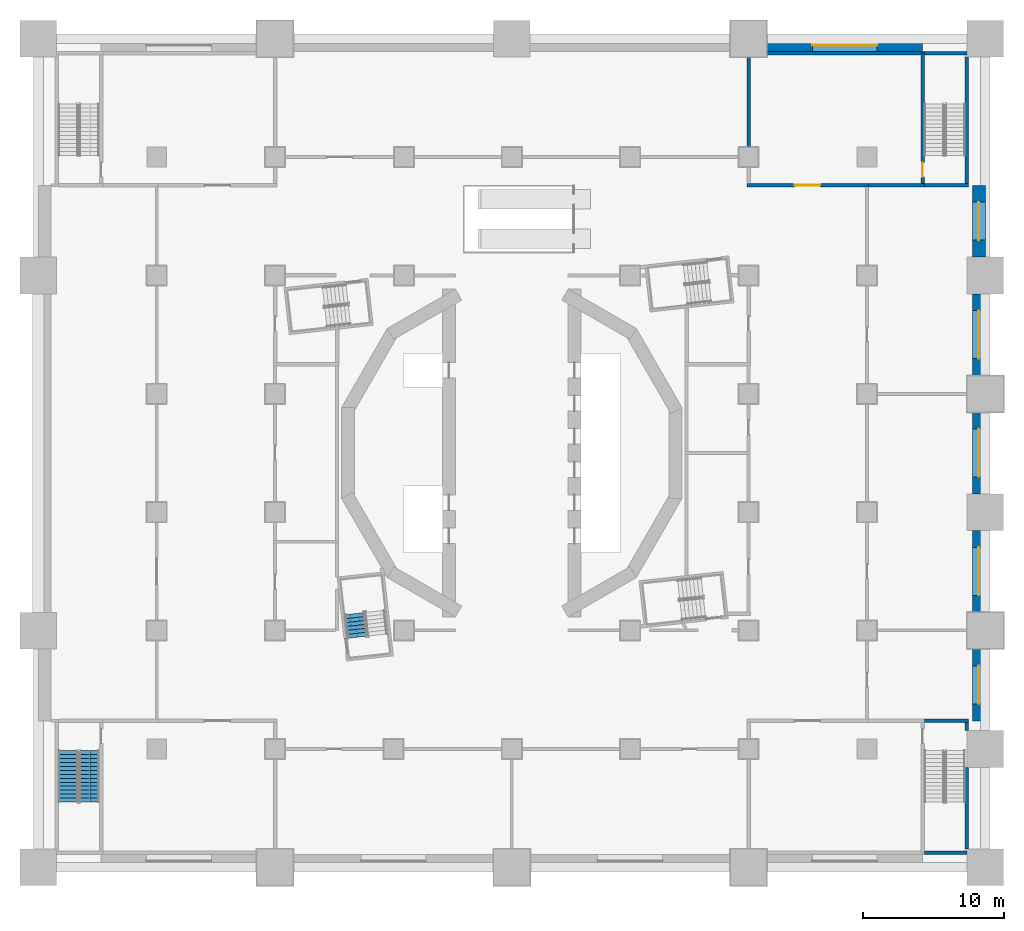
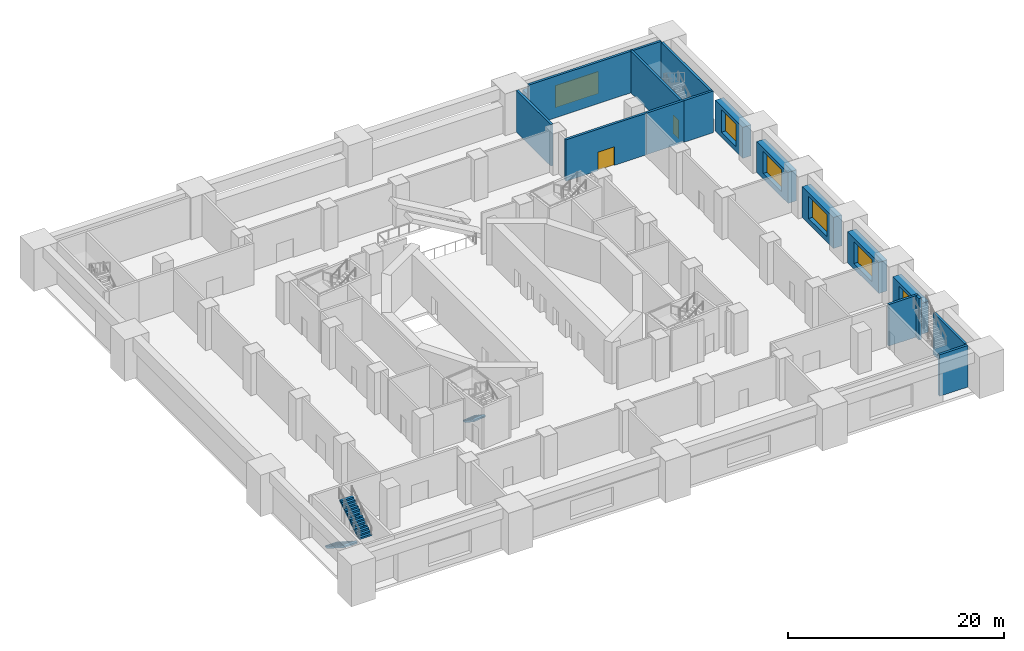
# One storey, part 5 of 18: 18 walls, 6 windows, 3 stair flights, 2 doors, 8 openings, 2 elements without a shape of their own.
"""IFC4 building model written with IfcOpenShell, lengths in metres."""

from ifc_helpers import new_model, si_unit, direction, frame, frame_2d, origin, place, context, subcontext, project, spatial, polyline, rectangle, outline, extrude, material, layer, layer_set, type_object, element, fill, aggregate, save


model = new_model("IFC4")

# Units and contexts
model_context = context("Model", 3, precision=1e-05, world=origin(), true_north=direction((0.0, 1.0)))
body_context = subcontext(model_context, "Body", "Model", "MODEL_VIEW")
ifc_project = project(units=[si_unit("LENGTHUNIT", "METRE"), si_unit("AREAUNIT", "SQUARE_METRE"), si_unit("VOLUMEUNIT", "CUBIC_METRE"), si_unit("PLANEANGLEUNIT", "RADIAN"), si_unit("MASSUNIT", "GRAM", prefix="KILO")], contexts=[model_context])

# Site, building, storey
site_placement = place(None, origin())
site = spatial("IfcSite", under=ifc_project, at=site_placement, CompositionType="ELEMENT")
building_placement = place(site_placement, origin())
building = spatial("IfcBuilding", under=site, at=building_placement, Name="Cantera Rosa Tower", CompositionType="ELEMENT")
storey_placement = place(building_placement, frame((0.0, 0.0, 17.0)))
storey = spatial("IfcBuildingStorey", under=building, at=storey_placement, Name="L02", CompositionType="ELEMENT", Elevation=17.0)

# Walls
ifc_material_1 = material(Name="Concrete C50/60", Category="concrete")
ifc_layer_1 = layer(ifc_material_1, 0.25)
ifc_layer_set_1 = layer_set([ifc_layer_1], Name="External stair wall 250")
wall_type_1 = type_object("IfcWallType", Name="External stair wall 250", PredefinedType="SOLIDWALL", material=ifc_layer_set_1)
for number, where, z_axis, x_axis, name in (
    (1, (29.27490234375, 28.375, 0.0), (0.0, 0.0, 1.0), (1.0, 0.0, 0.0), "Stair wall L02-51"),
    (2, (32.300048828125, -28.375, 0.0), (0.0, 0.0, 1.0), (-1.0, 0.0, 0.0), "Stair wall L02-75"),
):
    element("IfcWall", number, at=place(storey_placement, frame(where, z_axis=z_axis, x_axis=x_axis)), inside=storey, type_object=wall_type_1, Name=name, PredefinedType="SOLIDWALL", context=body_context, shape_type="SweptSolid", body=[
        extrude(rectangle(XDim=3.025146484375, YDim=0.25, at=frame_2d((1.5126953125, 0.0))), origin(), (0.0, 0.0, 1.0), 4.699951171875),
    ])
ifc_material_2 = material(Name="Masonry blockwork", Category="masonry")
ifc_layer_2 = layer(ifc_material_2, 0.25)
ifc_layer_set_2 = layer_set([ifc_layer_2], Name="Fire-rated external wall 250")
wall_type_2 = type_object("IfcWallType", Name="Fire-rated external wall 250", PredefinedType="PARTITIONING", material=ifc_layer_set_2)
wall_1_placement = place(storey_placement, frame((18.10009765625, 28.375, 0.0), z_axis=(0.0, 0.0, 1.0), x_axis=(1.0, 0.0, 0.0)))
element("IfcWall", 3, at=wall_1_placement, inside=storey, type_object=wall_type_2, Name="Fire wall L02-50", PredefinedType="PARTITIONING", context=body_context, shape_type="SweptSolid", body=[
    extrude(rectangle(XDim=11.1748046875, YDim=0.25, at=frame_2d((5.58740234375, 0.0))), origin(), (0.0, 0.0, 1.0), 4.699951171875),
])
ifc_material_3 = material(Name="Masonry blockwork", Category="masonry")
ifc_layer_3 = layer(ifc_material_3, 0.25)
ifc_layer_set_3 = layer_set([ifc_layer_3], Name="Fire-rated wall 250")
wall_type_3 = type_object("IfcWallType", Name="Fire-rated wall 250", PredefinedType="PARTITIONING", material=ifc_layer_set_3)
wall_2_placement = place(storey_placement, frame((16.800048828125, 21.699951171875, 0.0), z_axis=(0.0, 0.0, 1.0), x_axis=(0.0, 1.0, 0.0)))
element("IfcWall", 4, at=wall_2_placement, inside=storey, type_object=wall_type_3, Name="Fire wall L02-31", PredefinedType="PARTITIONING", context=body_context, shape_type="SweptSolid", body=[
    extrude(rectangle(XDim=6.400146484375, YDim=0.25, at=frame_2d((3.2001953125, 0.0))), origin(), (0.0, 0.0, 1.0), 4.699951171875),
])

# Wall, opening, door
wall_3_placement = place(storey_placement, frame((16.675048828125, 19.0, 0.0), z_axis=(0.0, 0.0, 1.0), x_axis=(1.0, 0.0, 0.0)))
wall_3 = element("IfcWall", 5, at=wall_3_placement, inside=storey, type_object=wall_type_3, Name="Fire wall L02-58", PredefinedType="PARTITIONING", context=body_context, shape_type="SweptSolid", body=[
    extrude(rectangle(XDim=8.625, YDim=0.25, at=frame_2d((4.3125, 0.0))), origin(), (0.0, 0.0, 1.0), 4.699951171875),
])
opening_1_placement = place(wall_3_placement, frame((3.41259765625, 0.0, 0.0)))
opening_1 = element("IfcOpeningElement", 6, at=opening_1_placement, cuts=wall_3, Name="Opening L02-014", PredefinedType="OPENING", context=body_context, shape_type="SweptSolid", body=[
    extrude(rectangle(XDim=1.800048828125, YDim=2.10009765625, at=frame_2d((0.89990234375, 1.050048828125))), frame((0.0, 0.135009765625, 0.0), z_axis=(0.0, -1.0, 0.0), x_axis=(1.0, 0.0, 0.0)), (0.0, 0.0, 1.0), 0.27001953125),
])
ifc_material_4 = material(Name="Steel S355J2 (EN 10025-2)", Category="steel")
door_type_1 = type_object("IfcDoorType", Name="Fire double door 1800x2100", OperationType="NOTDEFINED", PredefinedType="DOOR", material=ifc_material_4)
door_1_placement = place(opening_1_placement, origin())
door_1 = element("IfcDoor", 7, at=door_1_placement, inside=storey, type_object=door_type_1, Name="Door L02-014", OperationType="DOUBLE_DOOR_SINGLE_SWING", OverallHeight=2.10009765625, OverallWidth=1.800048828125, PredefinedType="DOOR", context=body_context, shape_type="SweptSolid", body=[
    extrude(rectangle(XDim=1.800048828125, YDim=2.10009765625, at=frame_2d((0.89990234375, 1.050048828125))), frame((0.0, 0.02490234375, 0.0), z_axis=(0.0, -1.0, 0.0), x_axis=(1.0, 0.0, 0.0)), (0.0, 0.0, 1.0), 0.050048828125),
])
fill(opening_1, door_1)

# Walls
wall_4_placement = place(storey_placement, frame((25.300048828125, 19.0, 0.0), z_axis=(0.0, 0.0, 1.0), x_axis=(1.0, 0.0, 0.0)))
element("IfcWall", 8, at=wall_4_placement, inside=storey, type_object=wall_type_3, Name="Fire wall L02-59", PredefinedType="PARTITIONING", context=body_context, shape_type="SweptSolid", body=[
    extrude(rectangle(XDim=3.974853515625, YDim=0.25, at=frame_2d((1.9873046875, 0.0))), origin(), (0.0, 0.0, 1.0), 4.699951171875),
])
ifc_material_5 = material(Name="Concrete C50/60", Category="concrete")
ifc_layer_4 = layer(ifc_material_5, 0.25)
ifc_layer_set_4 = layer_set([ifc_layer_4], Name="RC stair wall 250 C50/60")
wall_type_4 = type_object("IfcWallType", Name="RC stair wall 250", PredefinedType="SOLIDWALL", material=ifc_layer_set_4)
wall_5_placement = place(storey_placement, frame((32.300048828125, -28.10009765625, 0.0), z_axis=(0.0, 0.0, 1.0), x_axis=(0.0, 1.0, 0.0)))
element("IfcWall", 9, at=wall_5_placement, inside=storey, type_object=wall_type_4, Name="Stair wall L02-45", PredefinedType="SOLIDWALL", context=body_context, shape_type="SweptSolid", body=[
    extrude(rectangle(XDim=5.800048828125, YDim=0.25, at=frame_2d((2.89990234375, 0.0))), origin(), (0.0, 0.0, 1.0), 4.699951171875),
])
wall_6_placement = place(storey_placement, frame((32.300048828125, -19.699951171875, 0.0), z_axis=(0.0, 0.0, 1.0), x_axis=(0.0, 1.0, 0.0)))
element("IfcWall", 10, at=wall_6_placement, inside=storey, type_object=wall_type_4, Name="Stair wall L02-46", PredefinedType="SOLIDWALL", context=body_context, shape_type="SweptSolid", body=[
    extrude(rectangle(XDim=0.574951171875, YDim=0.25, at=frame_2d((0.28759765625, 0.0))), origin(), (0.0, 0.0, 1.0), 4.699951171875),
])
wall_7_placement = place(storey_placement, frame((32.300048828125, 19.125, 0.0), z_axis=(0.0, 0.0, 1.0), x_axis=(0.0, 1.0, 0.0)))
element("IfcWall", 11, at=wall_7_placement, inside=storey, type_object=wall_type_4, Name="Stair wall L02-47", PredefinedType="SOLIDWALL", context=body_context, shape_type="SweptSolid", body=[
    extrude(rectangle(XDim=8.97509765625, YDim=0.25, at=frame_2d((4.487548828125, 0.0))), origin(), (0.0, 0.0, 1.0), 4.699951171875),
])

# Wall, opening, door
wall_8_placement = place(storey_placement, frame((29.14990234375, 19.125, 0.0), z_axis=(0.0, 0.0, 1.0), x_axis=(0.0, 1.0, 0.0)))
wall_8 = element("IfcWall", 12, at=wall_8_placement, inside=storey, type_object=wall_type_4, Name="Stair wall L02-53", PredefinedType="SOLIDWALL", context=body_context, shape_type="SweptSolid", body=[
    extrude(rectangle(XDim=9.25, YDim=0.25, at=frame_2d((4.625, 0.0))), origin(), (0.0, 0.0, 1.0), 4.699951171875),
])
opening_2_placement = place(wall_8_placement, frame((0.47509765625, 0.0, 0.0)))
opening_2 = element("IfcOpeningElement", 13, at=opening_2_placement, cuts=wall_8, Name="Opening L02-015", PredefinedType="OPENING", context=body_context, shape_type="SweptSolid", body=[
    extrude(rectangle(XDim=1.0, YDim=2.10009765625, at=frame_2d((0.5, 1.050048828125))), frame((0.0, 0.135009765625, 0.0), z_axis=(0.0, -1.0, 0.0), x_axis=(1.0, 0.0, 0.0)), (0.0, 0.0, 1.0), 0.27001953125),
])
ifc_material_6 = material(Name="Steel S355J2 (EN 10025-2)", Category="steel")
door_type_2 = type_object("IfcDoorType", Name="Fire door 1000x2100 EI 120", OperationType="NOTDEFINED", PredefinedType="DOOR", material=ifc_material_6)
door_2_placement = place(opening_2_placement, origin())
door_2 = element("IfcDoor", 14, at=door_2_placement, inside=storey, type_object=door_type_2, Name="Door L02-015", OverallHeight=2.10009765625, OverallWidth=1.0, PredefinedType="DOOR", context=body_context, shape_type="SweptSolid", body=[
    extrude(rectangle(XDim=1.0, YDim=2.10009765625, at=frame_2d((0.5, 1.050048828125))), frame((0.0, 0.02490234375, 0.0), z_axis=(0.0, -1.0, 0.0), x_axis=(1.0, 0.0, 0.0)), (0.0, 0.0, 1.0), 0.050048828125),
])
fill(opening_2, door_2)

# Walls
for number, where, z_axis, x_axis, name in (
    (15, (29.27490234375, 19.0, 0.0), (0.0, 0.0, 1.0), (1.0, 0.0, 0.0), "Stair wall L02-60"),
    (16, (29.27490234375, -19.0, 0.0), (0.0, 0.0, 1.0), (1.0, 0.0, 0.0), "Stair wall L02-71"),
):
    element("IfcWall", number, at=place(storey_placement, frame(where, z_axis=z_axis, x_axis=x_axis)), inside=storey, type_object=wall_type_4, Name=name, PredefinedType="SOLIDWALL", context=body_context, shape_type="SweptSolid", body=[
        extrude(rectangle(XDim=3.150146484375, YDim=0.25, at=frame_2d((1.5751953125, 0.0))), origin(), (0.0, 0.0, 1.0), 4.699951171875),
    ])

# Wall, opening, window
ifc_material_7 = material(Name="Concrete C40/50 with limestone facing", Category="masonry")
ifc_layer_5 = layer(ifc_material_7, 0.89990234375)
ifc_layer_set_5 = layer_set([ifc_layer_5], Name="Stone podium wall 900")
wall_type_5 = type_object("IfcWallType", Name="Stone podium wall 900", PredefinedType="SOLIDWALL", material=ifc_layer_set_5)
wall_9_placement = place(storey_placement, frame((18.10009765625, 28.949951171875, 0.0), z_axis=(0.0, 0.0, 1.0), x_axis=(1.0, 0.0, 0.0)))
wall_9 = element("IfcWall", 17, at=wall_9_placement, inside=storey, type_object=wall_type_5, Name="Stone wall N L02-4", PredefinedType="SOLIDWALL", context=body_context, shape_type="SweptSolid", body=[
    extrude(rectangle(XDim=11.0498046875, YDim=0.89990234375, at=frame_2d((5.52490234375, 0.0))), origin(), (0.0, 0.0, 1.0), 3.5),
])
opening_3_placement = place(wall_9_placement, frame((3.22509765625, 0.0, 0.60009765625)))
opening_3 = element("IfcOpeningElement", 18, at=opening_3_placement, cuts=wall_9, Name="Opening L02-PWN4", PredefinedType="OPENING", context=body_context, shape_type="SweptSolid", body=[
    extrude(rectangle(XDim=4.60009765625, YDim=2.5, at=frame_2d((2.300048828125, 1.25))), frame((0.0, 0.4599609375, 0.0), z_axis=(0.0, -1.0, 0.0), x_axis=(1.0, 0.0, 0.0)), (0.0, 0.0, 1.0), 0.919921875),
])
ifc_material_8 = material(Name="Glass", Category="glass")
window_type_1 = type_object("IfcWindowType", Name="Podium window 4600x2500", PartitioningType="SINGLE_PANEL", PredefinedType="WINDOW", material=ifc_material_8)
window_1_placement = place(opening_3_placement, origin())
window_1 = element("IfcWindow", 19, at=window_1_placement, inside=storey, type_object=window_type_1, Name="Podium window L02-N4", OverallHeight=2.5, OverallWidth=4.60009765625, PartitioningType="SINGLE_PANEL", PredefinedType="WINDOW", context=body_context, shape_type="SweptSolid", body=[
    extrude(rectangle(XDim=4.60009765625, YDim=2.5, at=frame_2d((2.300048828125, 1.25))), frame((0.0, 0.030029296875, 0.0), z_axis=(0.0, -1.0, 0.0), x_axis=(1.0, 0.0, 0.0)), (0.0, 0.0, 1.0), 0.06005859375),
])
fill(opening_3, window_1)

wall_10_placement = place(storey_placement, frame((33.14990234375, -19.0, 0.0), z_axis=(0.0, 0.0, 1.0), x_axis=(0.0, 1.0, 0.0)))
wall_10 = element("IfcWall", 20, at=wall_10_placement, inside=storey, type_object=wall_type_5, Name="Stone wall E L02-1", PredefinedType="SOLIDWALL", context=body_context, shape_type="SweptSolid", body=[
    extrude(rectangle(XDim=5.10009765625, YDim=0.89990234375, at=frame_2d((2.550048828125, 0.0))), origin(), (0.0, 0.0, 1.0), 3.5),
])
opening_4_placement = place(wall_10_placement, frame((1.199951171875, 0.0, 0.60009765625)))
opening_4 = element("IfcOpeningElement", 21, at=opening_4_placement, cuts=wall_10, Name="Opening L02-PWE1", PredefinedType="OPENING", context=body_context, shape_type="SweptSolid", body=[
    extrude(rectangle(XDim=2.699951171875, YDim=2.5, at=frame_2d((1.35009765625, 1.25))), frame((0.0, 0.4599609375, 0.0), z_axis=(0.0, -1.0, 0.0), x_axis=(1.0, 0.0, 0.0)), (0.0, 0.0, 1.0), 0.919921875),
])
ifc_material_9 = material(Name="Glass", Category="glass")
window_type_2 = type_object("IfcWindowType", Name="Podium window 2700x2500", PartitioningType="SINGLE_PANEL", PredefinedType="WINDOW", material=ifc_material_9)
window_2_placement = place(opening_4_placement, origin())
window_2 = element("IfcWindow", 22, at=window_2_placement, inside=storey, type_object=window_type_2, Name="Podium window L02-E1", OverallHeight=2.5, OverallWidth=2.699951171875, PartitioningType="SINGLE_PANEL", PredefinedType="WINDOW", context=body_context, shape_type="SweptSolid", body=[
    extrude(rectangle(XDim=2.699951171875, YDim=2.5, at=frame_2d((1.35009765625, 1.25))), frame((0.0, 0.030029296875, 0.0), z_axis=(0.0, -1.0, 0.0), x_axis=(1.0, 0.0, 0.0)), (0.0, 0.0, 1.0), 0.06005859375),
])
fill(opening_4, window_2)

wall_11_placement = place(storey_placement, frame((33.14990234375, -11.300048828125, 0.0), z_axis=(0.0, 0.0, 1.0), x_axis=(0.0, 1.0, 0.0)))
wall_11 = element("IfcWall", 23, at=wall_11_placement, inside=storey, type_object=wall_type_5, Name="Stone wall E L02-2", PredefinedType="SOLIDWALL", context=body_context, shape_type="SweptSolid", body=[
    extrude(rectangle(XDim=5.800048828125, YDim=0.89990234375, at=frame_2d((2.89990234375, 0.0))), origin(), (0.0, 0.0, 1.0), 3.5),
])
opening_5_placement = place(wall_11_placement, frame((1.199951171875, 0.0, 0.60009765625)))
opening_5 = element("IfcOpeningElement", 24, at=opening_5_placement, cuts=wall_11, Name="Opening L02-PWE2", PredefinedType="OPENING", context=body_context, shape_type="SweptSolid", body=[
    extrude(rectangle(XDim=3.39990234375, YDim=2.5, at=frame_2d((1.699951171875, 1.25))), frame((0.0, 0.4599609375, 0.0), z_axis=(0.0, -1.0, 0.0), x_axis=(1.0, 0.0, 0.0)), (0.0, 0.0, 1.0), 0.919921875),
])
ifc_material_10 = material(Name="Glass", Category="glass")
window_type_3 = type_object("IfcWindowType", Name="Podium window 3400x2500", PartitioningType="SINGLE_PANEL", PredefinedType="WINDOW", material=ifc_material_10)
window_3_placement = place(opening_5_placement, origin())
window_3 = element("IfcWindow", 25, at=window_3_placement, inside=storey, type_object=window_type_3, Name="Podium window L02-E2", OverallHeight=2.5, OverallWidth=3.39990234375, PartitioningType="SINGLE_PANEL", PredefinedType="WINDOW", context=body_context, shape_type="SweptSolid", body=[
    extrude(rectangle(XDim=3.39990234375, YDim=2.5, at=frame_2d((1.699951171875, 1.25))), frame((0.0, 0.030029296875, 0.0), z_axis=(0.0, -1.0, 0.0), x_axis=(1.0, 0.0, 0.0)), (0.0, 0.0, 1.0), 0.06005859375),
])
fill(opening_5, window_3)

wall_12_placement = place(storey_placement, frame((33.14990234375, -2.89990234375, 0.0), z_axis=(0.0, 0.0, 1.0), x_axis=(0.0, 1.0, 0.0)))
wall_12 = element("IfcWall", 26, at=wall_12_placement, inside=storey, type_object=wall_type_5, Name="Stone wall E L02-3", PredefinedType="SOLIDWALL", context=body_context, shape_type="SweptSolid", body=[
    extrude(rectangle(XDim=5.7998046875, YDim=0.89990234375, at=frame_2d((2.89990234375, 0.0))), origin(), (0.0, 0.0, 1.0), 3.5),
])
opening_6_placement = place(wall_12_placement, frame((1.199951171875, 0.0, 0.60009765625)))
opening_6 = element("IfcOpeningElement", 27, at=opening_6_placement, cuts=wall_12, Name="Opening L02-PWE3", PredefinedType="OPENING", context=body_context, shape_type="SweptSolid", body=[
    extrude(rectangle(XDim=3.39990234375, YDim=2.5, at=frame_2d((1.699951171875, 1.25))), frame((0.0, 0.4599609375, 0.0), z_axis=(0.0, -1.0, 0.0), x_axis=(1.0, 0.0, 0.0)), (0.0, 0.0, 1.0), 0.919921875),
])
window_4_placement = place(opening_6_placement, origin())
window_4 = element("IfcWindow", 28, at=window_4_placement, inside=storey, type_object=window_type_3, Name="Podium window L02-E3", OverallHeight=2.5, OverallWidth=3.39990234375, PartitioningType="SINGLE_PANEL", PredefinedType="WINDOW", context=body_context, shape_type="SweptSolid", body=[
    extrude(rectangle(XDim=3.39990234375, YDim=2.5, at=frame_2d((1.699951171875, 1.25))), frame((0.0, 0.030029296875, 0.0), z_axis=(0.0, -1.0, 0.0), x_axis=(1.0, 0.0, 0.0)), (0.0, 0.0, 1.0), 0.06005859375),
])
fill(opening_6, window_4)

wall_13_placement = place(storey_placement, frame((33.14990234375, 5.5, 0.0), z_axis=(0.0, 0.0, 1.0), x_axis=(0.0, 1.0, 0.0)))
wall_13 = element("IfcWall", 29, at=wall_13_placement, inside=storey, type_object=wall_type_5, Name="Stone wall E L02-4", PredefinedType="SOLIDWALL", context=body_context, shape_type="SweptSolid", body=[
    extrude(rectangle(XDim=5.800048828125, YDim=0.89990234375, at=frame_2d((2.89990234375, 0.0))), origin(), (0.0, 0.0, 1.0), 3.5),
])
opening_7_placement = place(wall_13_placement, frame((1.199951171875, 0.0, 0.60009765625)))
opening_7 = element("IfcOpeningElement", 30, at=opening_7_placement, cuts=wall_13, Name="Opening L02-PWE4", PredefinedType="OPENING", context=body_context, shape_type="SweptSolid", body=[
    extrude(rectangle(XDim=3.39990234375, YDim=2.5, at=frame_2d((1.699951171875, 1.25))), frame((0.0, 0.4599609375, 0.0), z_axis=(0.0, -1.0, 0.0), x_axis=(1.0, 0.0, 0.0)), (0.0, 0.0, 1.0), 0.919921875),
])
window_5_placement = place(opening_7_placement, origin())
window_5 = element("IfcWindow", 31, at=window_5_placement, inside=storey, type_object=window_type_3, Name="Podium window L02-E4", OverallHeight=2.5, OverallWidth=3.39990234375, PartitioningType="SINGLE_PANEL", PredefinedType="WINDOW", context=body_context, shape_type="SweptSolid", body=[
    extrude(rectangle(XDim=3.39990234375, YDim=2.5, at=frame_2d((1.699951171875, 1.25))), frame((0.0, 0.030029296875, 0.0), z_axis=(0.0, -1.0, 0.0), x_axis=(1.0, 0.0, 0.0)), (0.0, 0.0, 1.0), 0.06005859375),
])
fill(opening_7, window_5)

wall_14_placement = place(storey_placement, frame((33.14990234375, 13.89990234375, 0.0), z_axis=(0.0, 0.0, 1.0), x_axis=(0.0, 1.0, 0.0)))
wall_14 = element("IfcWall", 32, at=wall_14_placement, inside=storey, type_object=wall_type_5, Name="Stone wall E L02-5", PredefinedType="SOLIDWALL", context=body_context, shape_type="SweptSolid", body=[
    extrude(rectangle(XDim=5.10009765625, YDim=0.89990234375, at=frame_2d((2.550048828125, 0.0))), origin(), (0.0, 0.0, 1.0), 3.5),
])
opening_8_placement = place(wall_14_placement, frame((1.199951171875, 0.0, 0.60009765625)))
opening_8 = element("IfcOpeningElement", 33, at=opening_8_placement, cuts=wall_14, Name="Opening L02-PWE5", PredefinedType="OPENING", context=body_context, shape_type="SweptSolid", body=[
    extrude(rectangle(XDim=2.699951171875, YDim=2.5, at=frame_2d((1.35009765625, 1.25))), frame((0.0, 0.4599609375, 0.0), z_axis=(0.0, -1.0, 0.0), x_axis=(1.0, 0.0, 0.0)), (0.0, 0.0, 1.0), 0.919921875),
])
window_6_placement = place(opening_8_placement, origin())
window_6 = element("IfcWindow", 34, at=window_6_placement, inside=storey, type_object=window_type_2, Name="Podium window L02-E5", OverallHeight=2.5, OverallWidth=2.699951171875, PartitioningType="SINGLE_PANEL", PredefinedType="WINDOW", context=body_context, shape_type="SweptSolid", body=[
    extrude(rectangle(XDim=2.699951171875, YDim=2.5, at=frame_2d((1.35009765625, 1.25))), frame((0.0, 0.030029296875, 0.0), z_axis=(0.0, -1.0, 0.0), x_axis=(1.0, 0.0, 0.0)), (0.0, 0.0, 1.0), 0.06005859375),
])
fill(opening_8, window_6)

# Stair, stair flight
ifc_material_11 = material(Name="Concrete C35/45", Category="concrete")
stair_type_1 = type_object("IfcStairType", Name="EXIT STAIR 1350 DOGLEG", PredefinedType="HALF_TURN_STAIR", material=ifc_material_11)
stair_1_placement = place(storey_placement, origin())
stair_1 = element("IfcStair", 35, at=stair_1_placement, inside=storey, type_object=stair_type_1, Name="L02 ST-13", PredefinedType="HALF_TURN_STAIR")
ifc_material_12 = material(Name="Concrete C35/45", Category="concrete")
stair_flight_type_1 = type_object("IfcStairFlightType", Name="STAIR FLIGHT 1350 R28x179", PredefinedType="STRAIGHT", material=ifc_material_12)
stair_flight_1_placement = place(storey_placement, frame((-11.17626953125, -11.404541015625, 1.25), z_axis=(0.0, 0.0, 1.0), x_axis=(0.110312549749, -0.993896947056, 0.0)))
stair_flight_1 = element("IfcStairFlight", 36, at=stair_flight_1_placement, type_object=stair_flight_type_1, Name="ST-13 flight 2", NumberOfRisers=7, NumberOfTreads=6, PredefinedType="STRAIGHT", RiserHeight=0.178571429, TreadLength=0.28, context=body_context, shape_type="SweptSolid", body=[
    extrude(outline(polyline([(0.0, 0.0), (0.0, 0.178466796875), (0.280029296875, 0.178466796875), (0.280029296875, 0.357177734375), (0.56005859375, 0.357177734375), (0.56005859375, 0.53564453125), (0.840087890625, 0.53564453125), (0.840087890625, 0.71435546875), (1.1201171875, 0.71435546875), (1.1201171875, 0.892822265625), (1.39990234375, 0.892822265625), (1.39990234375, 1.071533203125), (1.679931640625, 1.071533203125), (1.679931640625, 1.25), (1.679931640625, 0.8935546875), (0.27880859375, 0.0), (0.0, 0.0)])), frame((0.0, 0.675048828125, 0.0), z_axis=(0.0, -1.0, 0.0), x_axis=(1.0, 0.0, 0.0)), (0.0, 0.0, 1.0), 0.3359375),
    extrude(outline(polyline([(0.0, 0.0), (0.0, 0.178466796875), (0.280029296875, 0.178466796875), (0.280029296875, 0.357177734375), (0.56005859375, 0.357177734375), (0.56005859375, 0.53564453125), (0.840087890625, 0.53564453125), (0.840087890625, 0.71435546875), (1.1201171875, 0.71435546875), (1.1201171875, 0.892822265625), (1.39990234375, 0.892822265625), (1.39990234375, 1.071533203125), (1.679931640625, 1.071533203125), (1.679931640625, 1.25), (1.679931640625, 0.8935546875), (0.27880859375, 0.0), (0.0, 0.0)])), frame((0.0, 0.337158203125, 0.0), z_axis=(0.0, -1.0, 0.0), x_axis=(1.0, 0.0, 0.0)), (0.0, 0.0, 1.0), 0.3359375),
    extrude(outline(polyline([(0.0, 0.0), (0.0, 0.178466796875), (0.280029296875, 0.178466796875), (0.280029296875, 0.357177734375), (0.56005859375, 0.357177734375), (0.56005859375, 0.53564453125), (0.840087890625, 0.53564453125), (0.840087890625, 0.71435546875), (1.1201171875, 0.71435546875), (1.1201171875, 0.892822265625), (1.39990234375, 0.892822265625), (1.39990234375, 1.071533203125), (1.679931640625, 1.071533203125), (1.679931640625, 1.25), (1.679931640625, 0.8935546875), (0.27880859375, 0.0), (0.0, 0.0)])), frame((0.0, -0.000732421875, 0.0), z_axis=(0.0, -1.0, 0.0), x_axis=(1.0, 0.0, 0.0)), (0.0, 0.0, 1.0), 0.3359375),
    extrude(outline(polyline([(0.0, 0.0), (0.0, 0.178466796875), (0.280029296875, 0.178466796875), (0.280029296875, 0.357177734375), (0.56005859375, 0.357177734375), (0.56005859375, 0.53564453125), (0.840087890625, 0.53564453125), (0.840087890625, 0.71435546875), (1.1201171875, 0.71435546875), (1.1201171875, 0.892822265625), (1.39990234375, 0.892822265625), (1.39990234375, 1.071533203125), (1.679931640625, 1.071533203125), (1.679931640625, 1.25), (1.679931640625, 0.8935546875), (0.27880859375, 0.0), (0.0, 0.0)])), frame((0.0, -0.338623046875, 0.0), z_axis=(0.0, -1.0, 0.0), x_axis=(1.0, 0.0, 0.0)), (0.0, 0.0, 1.0), 0.3359375),
])
aggregate(stair_1, [stair_flight_1])

# Stair, stair flights
ifc_material_13 = material(Name="Concrete C35/45", Category="concrete")
stair_type_2 = type_object("IfcStairType", Name="Stair half-turn 1350", PredefinedType="HALF_TURN_STAIR", material=ifc_material_13)
stair_2_placement = place(storey_placement, origin())
stair_2 = element("IfcStair", 37, at=stair_2_placement, inside=storey, type_object=stair_type_2, Name="L02 ST-SW", PredefinedType="HALF_TURN_STAIR")
ifc_material_14 = material(Name="Concrete C35/45", Category="concrete")
stair_flight_type_2 = type_object("IfcStairFlightType", Name="Stair flight 1350", PredefinedType="STRAIGHT", material=ifc_material_14)
stair_flight_2_placement = place(storey_placement, frame((-31.5, -21.125, 0.0), z_axis=(0.0, 0.0, 1.0), x_axis=(0.0, -1.0, 0.0)))
stair_flight_2 = element("IfcStairFlight", 38, at=stair_flight_2_placement, type_object=stair_flight_type_2, Name="ST-SW flight 1", NumberOfRisers=14, NumberOfTreads=13, PredefinedType="STRAIGHT", RiserHeight=0.178571429, TreadLength=0.28, context=body_context, shape_type="SweptSolid", body=[
    extrude(outline(polyline([(0.0, 0.0), (0.0, 0.178466796875), (0.280029296875, 0.178466796875), (0.280029296875, 0.357177734375), (0.56005859375, 0.357177734375), (0.56005859375, 0.53564453125), (0.840087890625, 0.53564453125), (0.840087890625, 0.71435546875), (1.1201171875, 0.71435546875), (1.1201171875, 0.892822265625), (1.39990234375, 0.892822265625), (1.39990234375, 1.071533203125), (1.679931640625, 1.071533203125), (1.679931640625, 1.25), (1.9599609375, 1.25), (1.9599609375, 1.428466796875), (2.239990234375, 1.428466796875), (2.239990234375, 1.607177734375), (2.52001953125, 1.607177734375), (2.52001953125, 1.78564453125), (2.800048828125, 1.78564453125), (2.800048828125, 1.96435546875), (3.080078125, 1.96435546875), (3.080078125, 2.142822265625), (3.360107421875, 2.142822265625), (3.360107421875, 2.321533203125), (3.639892578125, 2.321533203125), (3.639892578125, 2.5), (3.639892578125, 2.1435546875), (0.27880859375, 0.0), (0.0, 0.0)])), frame((0.0, 0.675048828125, 0.0), z_axis=(0.0, -1.0, 0.0), x_axis=(1.0, 0.0, 0.0)), (0.0, 0.0, 1.0), 0.3359375),
    extrude(outline(polyline([(0.0, 0.0), (0.0, 0.178466796875), (0.280029296875, 0.178466796875), (0.280029296875, 0.357177734375), (0.56005859375, 0.357177734375), (0.56005859375, 0.53564453125), (0.840087890625, 0.53564453125), (0.840087890625, 0.71435546875), (1.1201171875, 0.71435546875), (1.1201171875, 0.892822265625), (1.39990234375, 0.892822265625), (1.39990234375, 1.071533203125), (1.679931640625, 1.071533203125), (1.679931640625, 1.25), (1.9599609375, 1.25), (1.9599609375, 1.428466796875), (2.239990234375, 1.428466796875), (2.239990234375, 1.607177734375), (2.52001953125, 1.607177734375), (2.52001953125, 1.78564453125), (2.800048828125, 1.78564453125), (2.800048828125, 1.96435546875), (3.080078125, 1.96435546875), (3.080078125, 2.142822265625), (3.360107421875, 2.142822265625), (3.360107421875, 2.321533203125), (3.639892578125, 2.321533203125), (3.639892578125, 2.5), (3.639892578125, 2.1435546875), (0.27880859375, 0.0), (0.0, 0.0)])), frame((0.0, 0.337158203125, 0.0), z_axis=(0.0, -1.0, 0.0), x_axis=(1.0, 0.0, 0.0)), (0.0, 0.0, 1.0), 0.3359375),
    extrude(outline(polyline([(0.0, 0.0), (0.0, 0.178466796875), (0.280029296875, 0.178466796875), (0.280029296875, 0.357177734375), (0.56005859375, 0.357177734375), (0.56005859375, 0.53564453125), (0.840087890625, 0.53564453125), (0.840087890625, 0.71435546875), (1.1201171875, 0.71435546875), (1.1201171875, 0.892822265625), (1.39990234375, 0.892822265625), (1.39990234375, 1.071533203125), (1.679931640625, 1.071533203125), (1.679931640625, 1.25), (1.9599609375, 1.25), (1.9599609375, 1.428466796875), (2.239990234375, 1.428466796875), (2.239990234375, 1.607177734375), (2.52001953125, 1.607177734375), (2.52001953125, 1.78564453125), (2.800048828125, 1.78564453125), (2.800048828125, 1.96435546875), (3.080078125, 1.96435546875), (3.080078125, 2.142822265625), (3.360107421875, 2.142822265625), (3.360107421875, 2.321533203125), (3.639892578125, 2.321533203125), (3.639892578125, 2.5), (3.639892578125, 2.1435546875), (0.27880859375, 0.0), (0.0, 0.0)])), frame((0.0, -0.000732421875, 0.0), z_axis=(0.0, -1.0, 0.0), x_axis=(1.0, 0.0, 0.0)), (0.0, 0.0, 1.0), 0.3359375),
    extrude(outline(polyline([(0.0, 0.0), (0.0, 0.178466796875), (0.280029296875, 0.178466796875), (0.280029296875, 0.357177734375), (0.56005859375, 0.357177734375), (0.56005859375, 0.53564453125), (0.840087890625, 0.53564453125), (0.840087890625, 0.71435546875), (1.1201171875, 0.71435546875), (1.1201171875, 0.892822265625), (1.39990234375, 0.892822265625), (1.39990234375, 1.071533203125), (1.679931640625, 1.071533203125), (1.679931640625, 1.25), (1.9599609375, 1.25), (1.9599609375, 1.428466796875), (2.239990234375, 1.428466796875), (2.239990234375, 1.607177734375), (2.52001953125, 1.607177734375), (2.52001953125, 1.78564453125), (2.800048828125, 1.78564453125), (2.800048828125, 1.96435546875), (3.080078125, 1.96435546875), (3.080078125, 2.142822265625), (3.360107421875, 2.142822265625), (3.360107421875, 2.321533203125), (3.639892578125, 2.321533203125), (3.639892578125, 2.5), (3.639892578125, 2.1435546875), (0.27880859375, 0.0), (0.0, 0.0)])), frame((0.0, -0.338623046875, 0.0), z_axis=(0.0, -1.0, 0.0), x_axis=(1.0, 0.0, 0.0)), (0.0, 0.0, 1.0), 0.3359375),
])
stair_flight_3_placement = place(storey_placement, frame((-29.949951171875, -24.764892578125, 2.5), z_axis=(0.0, 0.0, 1.0), x_axis=(0.0, 1.0, 0.0)))
stair_flight_3 = element("IfcStairFlight", 39, at=stair_flight_3_placement, type_object=stair_flight_type_2, Name="ST-SW flight 2", NumberOfRisers=14, NumberOfTreads=13, PredefinedType="STRAIGHT", RiserHeight=0.178571429, TreadLength=0.28, context=body_context, shape_type="SweptSolid", body=[
    extrude(outline(polyline([(0.0, 0.0), (0.0, 0.178466796875), (0.280029296875, 0.178466796875), (0.280029296875, 0.357177734375), (0.56005859375, 0.357177734375), (0.56005859375, 0.53564453125), (0.840087890625, 0.53564453125), (0.840087890625, 0.71435546875), (1.1201171875, 0.71435546875), (1.1201171875, 0.892822265625), (1.39990234375, 0.892822265625), (1.39990234375, 1.071533203125), (1.679931640625, 1.071533203125), (1.679931640625, 1.25), (1.9599609375, 1.25), (1.9599609375, 1.428466796875), (2.239990234375, 1.428466796875), (2.239990234375, 1.607177734375), (2.52001953125, 1.607177734375), (2.52001953125, 1.78564453125), (2.800048828125, 1.78564453125), (2.800048828125, 1.96435546875), (3.080078125, 1.96435546875), (3.080078125, 2.142822265625), (3.360107421875, 2.142822265625), (3.360107421875, 2.321533203125), (3.639892578125, 2.321533203125), (3.639892578125, 2.5), (3.639892578125, 2.1435546875), (0.27880859375, 0.0), (0.0, 0.0)])), frame((0.0, 0.675048828125, 0.0), z_axis=(0.0, -1.0, 0.0), x_axis=(1.0, 0.0, 0.0)), (0.0, 0.0, 1.0), 0.3359375),
    extrude(outline(polyline([(0.0, 0.0), (0.0, 0.178466796875), (0.280029296875, 0.178466796875), (0.280029296875, 0.357177734375), (0.56005859375, 0.357177734375), (0.56005859375, 0.53564453125), (0.840087890625, 0.53564453125), (0.840087890625, 0.71435546875), (1.1201171875, 0.71435546875), (1.1201171875, 0.892822265625), (1.39990234375, 0.892822265625), (1.39990234375, 1.071533203125), (1.679931640625, 1.071533203125), (1.679931640625, 1.25), (1.9599609375, 1.25), (1.9599609375, 1.428466796875), (2.239990234375, 1.428466796875), (2.239990234375, 1.607177734375), (2.52001953125, 1.607177734375), (2.52001953125, 1.78564453125), (2.800048828125, 1.78564453125), (2.800048828125, 1.96435546875), (3.080078125, 1.96435546875), (3.080078125, 2.142822265625), (3.360107421875, 2.142822265625), (3.360107421875, 2.321533203125), (3.639892578125, 2.321533203125), (3.639892578125, 2.5), (3.639892578125, 2.1435546875), (0.27880859375, 0.0), (0.0, 0.0)])), frame((0.0, 0.337158203125, 0.0), z_axis=(0.0, -1.0, 0.0), x_axis=(1.0, 0.0, 0.0)), (0.0, 0.0, 1.0), 0.3359375),
    extrude(outline(polyline([(0.0, 0.0), (0.0, 0.178466796875), (0.280029296875, 0.178466796875), (0.280029296875, 0.357177734375), (0.56005859375, 0.357177734375), (0.56005859375, 0.53564453125), (0.840087890625, 0.53564453125), (0.840087890625, 0.71435546875), (1.1201171875, 0.71435546875), (1.1201171875, 0.892822265625), (1.39990234375, 0.892822265625), (1.39990234375, 1.071533203125), (1.679931640625, 1.071533203125), (1.679931640625, 1.25), (1.9599609375, 1.25), (1.9599609375, 1.428466796875), (2.239990234375, 1.428466796875), (2.239990234375, 1.607177734375), (2.52001953125, 1.607177734375), (2.52001953125, 1.78564453125), (2.800048828125, 1.78564453125), (2.800048828125, 1.96435546875), (3.080078125, 1.96435546875), (3.080078125, 2.142822265625), (3.360107421875, 2.142822265625), (3.360107421875, 2.321533203125), (3.639892578125, 2.321533203125), (3.639892578125, 2.5), (3.639892578125, 2.1435546875), (0.27880859375, 0.0), (0.0, 0.0)])), frame((0.0, -0.000732421875, 0.0), z_axis=(0.0, -1.0, 0.0), x_axis=(1.0, 0.0, 0.0)), (0.0, 0.0, 1.0), 0.3359375),
    extrude(outline(polyline([(0.0, 0.0), (0.0, 0.178466796875), (0.280029296875, 0.178466796875), (0.280029296875, 0.357177734375), (0.56005859375, 0.357177734375), (0.56005859375, 0.53564453125), (0.840087890625, 0.53564453125), (0.840087890625, 0.71435546875), (1.1201171875, 0.71435546875), (1.1201171875, 0.892822265625), (1.39990234375, 0.892822265625), (1.39990234375, 1.071533203125), (1.679931640625, 1.071533203125), (1.679931640625, 1.25), (1.9599609375, 1.25), (1.9599609375, 1.428466796875), (2.239990234375, 1.428466796875), (2.239990234375, 1.607177734375), (2.52001953125, 1.607177734375), (2.52001953125, 1.78564453125), (2.800048828125, 1.78564453125), (2.800048828125, 1.96435546875), (3.080078125, 1.96435546875), (3.080078125, 2.142822265625), (3.360107421875, 2.142822265625), (3.360107421875, 2.321533203125), (3.639892578125, 2.321533203125), (3.639892578125, 2.5), (3.639892578125, 2.1435546875), (0.27880859375, 0.0), (0.0, 0.0)])), frame((0.0, -0.338623046875, 0.0), z_axis=(0.0, -1.0, 0.0), x_axis=(1.0, 0.0, 0.0)), (0.0, 0.0, 1.0), 0.3359375),
])
aggregate(stair_2, [stair_flight_2, stair_flight_3])

save(model, "model.ifc")
